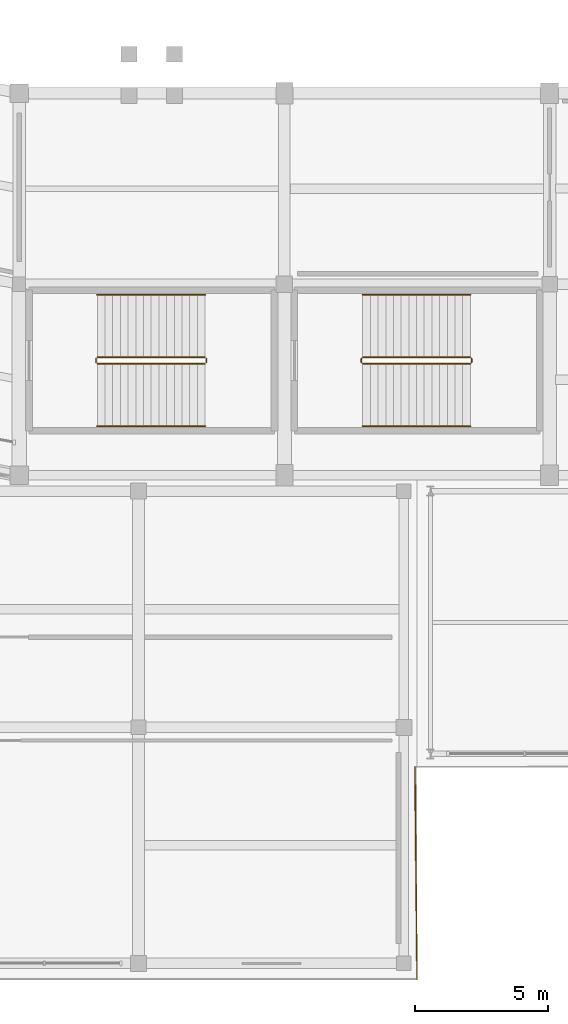
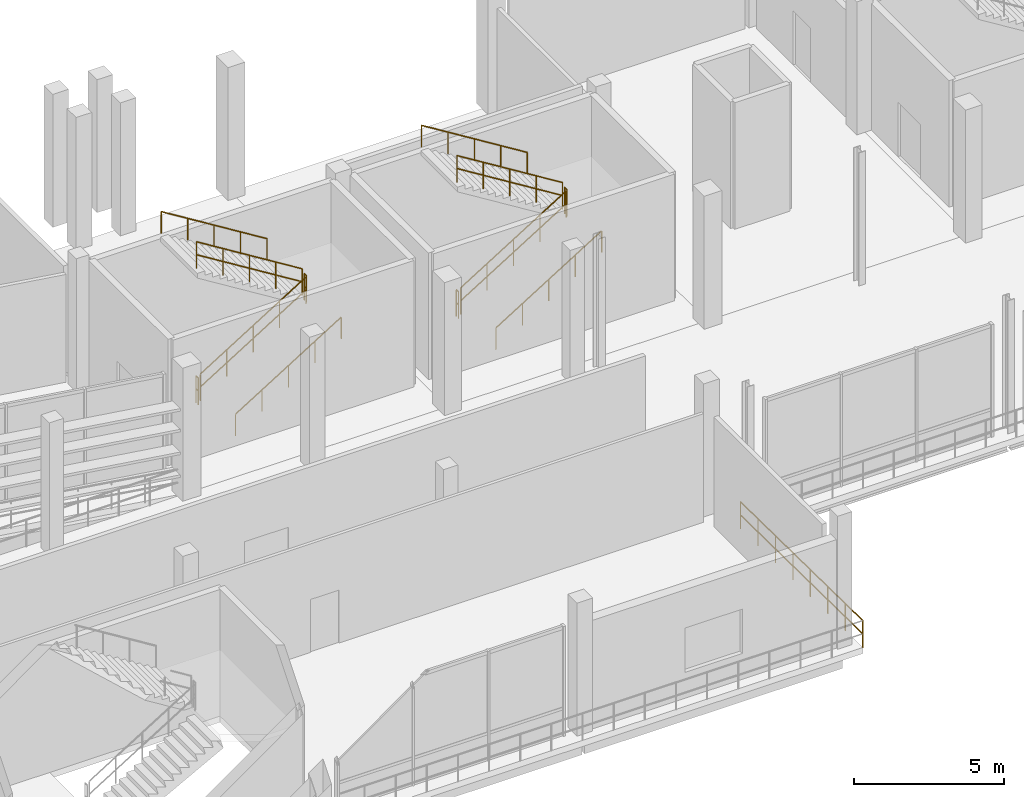
# One storey, part 91 of 111: 13 railings.
"""IFC4 building model written with IfcOpenShell, lengths in metres."""

from ifc_helpers import new_model, si_unit, direction, frame, origin, origin_2d, place, context, subcontext, project, spatial, circle, extrude, material, layer, layer_set, type_object, element, save


model = new_model("IFC4")

# Units and contexts
model_context = context("Model", 3, precision=1e-05, world=origin(), true_north=direction((0.0, 1.0)))
body_context = subcontext(model_context, "Body", "Model", "MODEL_VIEW")
ifc_project = project(units=[si_unit("LENGTHUNIT", "METRE"), si_unit("AREAUNIT", "SQUARE_METRE"), si_unit("VOLUMEUNIT", "CUBIC_METRE"), si_unit("PLANEANGLEUNIT", "RADIAN"), si_unit("MASSUNIT", "GRAM", prefix="KILO")], contexts=[model_context])

# Site, building, storey
site_placement = place(None, origin())
site = spatial("IfcSite", under=ifc_project, at=site_placement, CompositionType="ELEMENT")
building_placement = place(site_placement, origin())
building = spatial("IfcBuilding", under=site, at=building_placement, Name="Candeia Ridge Stadium", CompositionType="ELEMENT")
storey_placement = place(building_placement, frame((0.0, 0.0, 16.199951171875)))
storey = spatial("IfcBuildingStorey", under=building, at=storey_placement, Name="L03", CompositionType="ELEMENT", Elevation=16.199951171875)

# Railings
ifc_material_1 = material(Name="Galvanized Powder-Coated Steel", Category="steel")
ifc_layer_1 = layer(ifc_material_1, 0.074951171875, Name="Galvanized Powder-Coated Steel", Category="steel")
ifc_layer_set_1 = layer_set([ifc_layer_1], Name="Galvanized Powder-Coated Steel")
railing_type_1 = type_object("IfcRailingType", Name="Spectator Bowl Front Guardrail 1120", PredefinedType="GUARDRAIL", material=ifc_layer_set_1)
railing_1_placement = place(storey_placement, frame((85.919921875, 8.0, 0.0)))
element("IfcRailing", 1, at=railing_1_placement, inside=storey, type_object=railing_type_1, Name="Deck edge safety guardrail GR-DE-L03-0154", PredefinedType="GUARDRAIL", context=body_context, shape_type="SweptSolid", body=[
    extrude(circle(Radius=0.02392578125, at=origin_2d()), frame((0.0, 0.0, 1.09619140625), z_axis=(0.010009264196, -0.99994990606, 0.0), x_axis=(0.99994990606, 0.010009264196, 0.0)), (0.0, 0.0, 1.0), 8.00048828125),
    extrude(circle(Radius=0.02392578125, at=origin_2d()), frame((0.0, 0.0, 0.56005859375), z_axis=(0.010009264196, -0.99994990606, 0.0), x_axis=(0.99994990606, 0.010009264196, 0.0)), (0.0, 0.0, 1.0), 8.00048828125),
    extrude(circle(Radius=0.02099609375, at=origin_2d()), origin(), (0.0, 0.0, 1.0), 1.072021484375),
    extrude(circle(Radius=0.02099609375, at=origin_2d()), frame((0.011474609375, -1.142822265625, 0.0)), (0.0, 0.0, 1.0), 1.072021484375),
    extrude(circle(Radius=0.02099609375, at=origin_2d()), frame((0.02294921875, -2.28564453125, 0.0)), (0.0, 0.0, 1.0), 1.072021484375),
    extrude(circle(Radius=0.02099609375, at=origin_2d()), frame((0.034423828125, -3.428466796875, 0.0)), (0.0, 0.0, 1.0), 1.072021484375),
    extrude(circle(Radius=0.02099609375, at=origin_2d()), frame((0.045654296875, -4.571533203125, 0.0)), (0.0, 0.0, 1.0), 1.072021484375),
    extrude(circle(Radius=0.02099609375, at=origin_2d()), frame((0.05712890625, -5.71435546875, 0.0)), (0.0, 0.0, 1.0), 1.072021484375),
    extrude(circle(Radius=0.02099609375, at=origin_2d()), frame((0.068603515625, -6.857177734375, 0.0)), (0.0, 0.0, 1.0), 1.072021484375),
    extrude(circle(Radius=0.02099609375, at=origin_2d()), frame((0.080078125, -8.0, 0.0)), (0.0, 0.0, 1.0), 1.072021484375),
])
ifc_material_2 = material(Name="Brushed Stainless Steel", Category="steel")
ifc_layer_2 = layer(ifc_material_2, 0.048095703125, Name="Brushed Stainless Steel", Category="steel")
ifc_layer_set_2 = layer_set([ifc_layer_2], Name="Brushed Stainless Steel")
railing_type_2 = type_object("IfcRailingType", Name="Stair Wall & Flight Handrail 900", PredefinedType="HANDRAIL", material=ifc_layer_set_2)
railing_2_placement = place(storey_placement, frame((73.949951171875, 20.85009765625, 0.179931640625)))
element("IfcRailing", 2, at=railing_2_placement, inside=storey, type_object=railing_type_2, Name="L03 ST02 stair handrail 1", PredefinedType="HANDRAIL", context=body_context, shape_type="SweptSolid", body=[
    extrude(circle(Radius=0.02392578125, at=origin_2d()), frame((0.0, 0.0, 0.8759765625), z_axis=(0.849641744969, 0.0, 0.527360318194), x_axis=(0.0, 1.0, 0.0)), (0.0, 0.0, 1.0), 4.778564453125),
    extrude(circle(Radius=0.02099609375, at=origin_2d()), origin(), (0.0, 0.0, 1.0), 0.851806640625),
    extrude(circle(Radius=0.02099609375, at=origin_2d()), frame((1.01513671875, 0.0, 0.6298828125)), (0.0, 0.0, 1.0), 0.851806640625),
    extrude(circle(Radius=0.02099609375, at=origin_2d()), frame((2.030029296875, 0.0, 1.260009765625)), (0.0, 0.0, 1.0), 0.851806640625),
    extrude(circle(Radius=0.02099609375, at=origin_2d()), frame((3.044921875, 0.0, 1.89013671875)), (0.0, 0.0, 1.0), 0.851806640625),
    extrude(circle(Radius=0.02099609375, at=origin_2d()), frame((4.06005859375, 0.0, 2.52001953125)), (0.0, 0.0, 1.0), 0.851806640625),
])
railing_3_placement = place(storey_placement, frame((78.010009765625, 25.800048828125, 2.880126953125)))
element("IfcRailing", 3, at=railing_3_placement, inside=storey, type_object=railing_type_2, Name="L03 ST02 stair handrail 2", PredefinedType="HANDRAIL", context=body_context, shape_type="SweptSolid", body=[
    extrude(circle(Radius=0.02392578125, at=origin_2d()), frame((0.0, 0.0, 0.8759765625), z_axis=(-0.849641744969, 0.0, 0.527360318194), x_axis=(0.0, -1.0, 0.0)), (0.0, 0.0, 1.0), 4.778564453125),
    extrude(circle(Radius=0.02099609375, at=origin_2d()), origin(), (0.0, 0.0, 1.0), 0.851806640625),
    extrude(circle(Radius=0.02099609375, at=origin_2d()), frame((-1.01513671875, 0.0, 0.6298828125)), (0.0, 0.0, 1.0), 0.851806640625),
    extrude(circle(Radius=0.02099609375, at=origin_2d()), frame((-2.030029296875, 0.0, 1.260009765625)), (0.0, 0.0, 1.0), 0.851806640625),
    extrude(circle(Radius=0.02099609375, at=origin_2d()), frame((-3.044921875, 0.0, 1.89013671875)), (0.0, 0.0, 1.0), 0.851806640625),
    extrude(circle(Radius=0.02099609375, at=origin_2d()), frame((-4.06005859375, 0.0, 2.52001953125)), (0.0, 0.0, 1.0), 0.851806640625),
])
railing_4_placement = place(storey_placement, frame((83.949951171875, 20.85009765625, 0.179931640625)))
element("IfcRailing", 4, at=railing_4_placement, inside=storey, type_object=railing_type_2, Name="L03 ST11 stair handrail 1", PredefinedType="HANDRAIL", context=body_context, shape_type="SweptSolid", body=[
    extrude(circle(Radius=0.02392578125, at=origin_2d()), frame((0.0, 0.0, 0.8759765625), z_axis=(0.849641744969, 0.0, 0.527360318194), x_axis=(0.0, 1.0, 0.0)), (0.0, 0.0, 1.0), 4.778564453125),
    extrude(circle(Radius=0.02099609375, at=origin_2d()), origin(), (0.0, 0.0, 1.0), 0.851806640625),
    extrude(circle(Radius=0.02099609375, at=origin_2d()), frame((1.01513671875, 0.0, 0.6298828125)), (0.0, 0.0, 1.0), 0.851806640625),
    extrude(circle(Radius=0.02099609375, at=origin_2d()), frame((2.030029296875, 0.0, 1.260009765625)), (0.0, 0.0, 1.0), 0.851806640625),
    extrude(circle(Radius=0.02099609375, at=origin_2d()), frame((3.044921875, 0.0, 1.89013671875)), (0.0, 0.0, 1.0), 0.851806640625),
    extrude(circle(Radius=0.02099609375, at=origin_2d()), frame((4.06005859375, 0.0, 2.52001953125)), (0.0, 0.0, 1.0), 0.851806640625),
])
railing_5_placement = place(storey_placement, frame((88.010009765625, 25.800048828125, 2.880126953125)))
element("IfcRailing", 5, at=railing_5_placement, inside=storey, type_object=railing_type_2, Name="L03 ST11 stair handrail 2", PredefinedType="HANDRAIL", context=body_context, shape_type="SweptSolid", body=[
    extrude(circle(Radius=0.02392578125, at=origin_2d()), frame((0.0, 0.0, 0.8759765625), z_axis=(-0.849641744969, 0.0, 0.527360318194), x_axis=(0.0, -1.0, 0.0)), (0.0, 0.0, 1.0), 4.778564453125),
    extrude(circle(Radius=0.02099609375, at=origin_2d()), origin(), (0.0, 0.0, 1.0), 0.851806640625),
    extrude(circle(Radius=0.02099609375, at=origin_2d()), frame((-1.01513671875, 0.0, 0.6298828125)), (0.0, 0.0, 1.0), 0.851806640625),
    extrude(circle(Radius=0.02099609375, at=origin_2d()), frame((-2.030029296875, 0.0, 1.260009765625)), (0.0, 0.0, 1.0), 0.851806640625),
    extrude(circle(Radius=0.02099609375, at=origin_2d()), frame((-3.044921875, 0.0, 1.89013671875)), (0.0, 0.0, 1.0), 0.851806640625),
    extrude(circle(Radius=0.02099609375, at=origin_2d()), frame((-4.06005859375, 0.0, 2.52001953125)), (0.0, 0.0, 1.0), 0.851806640625),
])
ifc_layer_3 = layer(ifc_material_1, 0.06005859375, Name="Galvanized Powder-Coated Steel", Category="steel")
ifc_layer_set_3 = layer_set([ifc_layer_3], Name="Galvanized Powder-Coated Steel")
railing_type_3 = type_object("IfcRailingType", Name="Stair Well Guardrail 1100", PredefinedType="GUARDRAIL", material=ifc_layer_set_3)
railing_6_placement = place(storey_placement, frame((73.949951171875, 23.199951171875, 0.179931640625)))
element("IfcRailing", 6, at=railing_6_placement, inside=storey, type_object=railing_type_3, Name="L03 ST02 stair guard 1", PredefinedType="GUARDRAIL", context=body_context, shape_type="SweptSolid", body=[
    extrude(circle(Radius=0.02392578125, at=origin_2d()), frame((0.0, 0.0, 1.076171875), z_axis=(0.849641744969, 0.0, 0.527360318194), x_axis=(0.0, 1.0, 0.0)), (0.0, 0.0, 1.0), 4.778564453125),
    extrude(circle(Radius=0.02392578125, at=origin_2d()), frame((0.0, 0.0, 0.550048828125), z_axis=(0.849641744969, 0.0, 0.527360318194), x_axis=(0.0, 1.0, 0.0)), (0.0, 0.0, 1.0), 4.778564453125),
    extrude(circle(Radius=0.02099609375, at=origin_2d()), origin(), (0.0, 0.0, 1.0), 1.052001953125),
    extrude(circle(Radius=0.02099609375, at=origin_2d()), frame((1.01513671875, 0.0, 0.6298828125)), (0.0, 0.0, 1.0), 1.052001953125),
    extrude(circle(Radius=0.02099609375, at=origin_2d()), frame((2.030029296875, 0.0, 1.260009765625)), (0.0, 0.0, 1.0), 1.052001953125),
    extrude(circle(Radius=0.02099609375, at=origin_2d()), frame((3.044921875, 0.0, 1.89013671875)), (0.0, 0.0, 1.0), 1.052001953125),
    extrude(circle(Radius=0.02099609375, at=origin_2d()), frame((4.06005859375, 0.0, 2.52001953125)), (0.0, 0.0, 1.0), 1.052001953125),
])
railing_7_placement = place(storey_placement, frame((78.06005859375, 23.25, 2.699951171875)))
element("IfcRailing", 7, at=railing_7_placement, inside=storey, type_object=railing_type_3, Name="L03 ST02 stair guard 2", PredefinedType="GUARDRAIL", context=body_context, shape_type="SweptSolid", body=[
    extrude(circle(Radius=0.02392578125, at=origin_2d()), frame((0.0, 0.0, 1.076171875), z_axis=(0.0, 1.0, 0.0), x_axis=(-1.0, 0.0, 0.0)), (0.0, 0.0, 1.0), 0.14990234375),
    extrude(circle(Radius=0.02392578125, at=origin_2d()), frame((0.0, 0.0, 0.550048828125), z_axis=(0.0, 1.0, 0.0), x_axis=(-1.0, 0.0, 0.0)), (0.0, 0.0, 1.0), 0.14990234375),
    extrude(circle(Radius=0.02099609375, at=origin_2d()), origin(), (0.0, 0.0, 1.0), 1.052001953125),
    extrude(circle(Radius=0.02099609375, at=origin_2d()), frame((0.0, 0.14990234375, 0.0)), (0.0, 0.0, 1.0), 1.052001953125),
])
railing_8_placement = place(storey_placement, frame((78.010009765625, 23.449951171875, 2.880126953125)))
element("IfcRailing", 8, at=railing_8_placement, inside=storey, type_object=railing_type_3, Name="L03 ST02 stair guard 3", PredefinedType="GUARDRAIL", context=body_context, shape_type="SweptSolid", body=[
    extrude(circle(Radius=0.02392578125, at=origin_2d()), frame((0.0, 0.0, 1.076171875), z_axis=(-0.849641744969, 0.0, 0.527360318194), x_axis=(0.0, -1.0, 0.0)), (0.0, 0.0, 1.0), 4.778564453125),
    extrude(circle(Radius=0.02392578125, at=origin_2d()), frame((0.0, 0.0, 0.550048828125), z_axis=(-0.849641744969, 0.0, 0.527360318194), x_axis=(0.0, -1.0, 0.0)), (0.0, 0.0, 1.0), 4.778564453125),
    extrude(circle(Radius=0.02099609375, at=origin_2d()), origin(), (0.0, 0.0, 1.0), 1.052001953125),
    extrude(circle(Radius=0.02099609375, at=origin_2d()), frame((-1.01513671875, 0.0, 0.6298828125)), (0.0, 0.0, 1.0), 1.052001953125),
    extrude(circle(Radius=0.02099609375, at=origin_2d()), frame((-2.030029296875, 0.0, 1.260009765625)), (0.0, 0.0, 1.0), 1.052001953125),
    extrude(circle(Radius=0.02099609375, at=origin_2d()), frame((-3.044921875, 0.0, 1.89013671875)), (0.0, 0.0, 1.0), 1.052001953125),
    extrude(circle(Radius=0.02099609375, at=origin_2d()), frame((-4.06005859375, 0.0, 2.52001953125)), (0.0, 0.0, 1.0), 1.052001953125),
])
railing_9_placement = place(storey_placement, frame((73.89990234375, 23.25, 0.0)))
element("IfcRailing", 9, at=railing_9_placement, inside=storey, type_object=railing_type_3, Name="L03 ST02 stair guard 4", PredefinedType="GUARDRAIL", context=body_context, shape_type="SweptSolid", body=[
    extrude(circle(Radius=0.02392578125, at=origin_2d()), frame((0.0, 0.0, 1.076171875), z_axis=(0.0, 1.0, 0.0), x_axis=(-1.0, 0.0, 0.0)), (0.0, 0.0, 1.0), 0.14990234375),
    extrude(circle(Radius=0.02392578125, at=origin_2d()), frame((0.0, 0.0, 0.550048828125), z_axis=(0.0, 1.0, 0.0), x_axis=(-1.0, 0.0, 0.0)), (0.0, 0.0, 1.0), 0.14990234375),
    extrude(circle(Radius=0.02099609375, at=origin_2d()), origin(), (0.0, 0.0, 1.0), 1.052001953125),
    extrude(circle(Radius=0.02099609375, at=origin_2d()), frame((0.0, 0.14990234375, 0.0)), (0.0, 0.0, 1.0), 1.052001953125),
])
railing_10_placement = place(storey_placement, frame((83.949951171875, 23.199951171875, 0.179931640625)))
element("IfcRailing", 10, at=railing_10_placement, inside=storey, type_object=railing_type_3, Name="L03 ST11 stair guard 1", PredefinedType="GUARDRAIL", context=body_context, shape_type="SweptSolid", body=[
    extrude(circle(Radius=0.02392578125, at=origin_2d()), frame((0.0, 0.0, 1.076171875), z_axis=(0.849641744969, 0.0, 0.527360318194), x_axis=(0.0, 1.0, 0.0)), (0.0, 0.0, 1.0), 4.778564453125),
    extrude(circle(Radius=0.02392578125, at=origin_2d()), frame((0.0, 0.0, 0.550048828125), z_axis=(0.849641744969, 0.0, 0.527360318194), x_axis=(0.0, 1.0, 0.0)), (0.0, 0.0, 1.0), 4.778564453125),
    extrude(circle(Radius=0.02099609375, at=origin_2d()), origin(), (0.0, 0.0, 1.0), 1.052001953125),
    extrude(circle(Radius=0.02099609375, at=origin_2d()), frame((1.01513671875, 0.0, 0.6298828125)), (0.0, 0.0, 1.0), 1.052001953125),
    extrude(circle(Radius=0.02099609375, at=origin_2d()), frame((2.030029296875, 0.0, 1.260009765625)), (0.0, 0.0, 1.0), 1.052001953125),
    extrude(circle(Radius=0.02099609375, at=origin_2d()), frame((3.044921875, 0.0, 1.89013671875)), (0.0, 0.0, 1.0), 1.052001953125),
    extrude(circle(Radius=0.02099609375, at=origin_2d()), frame((4.06005859375, 0.0, 2.52001953125)), (0.0, 0.0, 1.0), 1.052001953125),
])
railing_11_placement = place(storey_placement, frame((88.06005859375, 23.25, 2.699951171875)))
element("IfcRailing", 11, at=railing_11_placement, inside=storey, type_object=railing_type_3, Name="L03 ST11 stair guard 2", PredefinedType="GUARDRAIL", context=body_context, shape_type="SweptSolid", body=[
    extrude(circle(Radius=0.02392578125, at=origin_2d()), frame((0.0, 0.0, 1.076171875), z_axis=(0.0, 1.0, 0.0), x_axis=(-1.0, 0.0, 0.0)), (0.0, 0.0, 1.0), 0.14990234375),
    extrude(circle(Radius=0.02392578125, at=origin_2d()), frame((0.0, 0.0, 0.550048828125), z_axis=(0.0, 1.0, 0.0), x_axis=(-1.0, 0.0, 0.0)), (0.0, 0.0, 1.0), 0.14990234375),
    extrude(circle(Radius=0.02099609375, at=origin_2d()), origin(), (0.0, 0.0, 1.0), 1.052001953125),
    extrude(circle(Radius=0.02099609375, at=origin_2d()), frame((0.0, 0.14990234375, 0.0)), (0.0, 0.0, 1.0), 1.052001953125),
])
railing_12_placement = place(storey_placement, frame((88.010009765625, 23.449951171875, 2.880126953125)))
element("IfcRailing", 12, at=railing_12_placement, inside=storey, type_object=railing_type_3, Name="L03 ST11 stair guard 3", PredefinedType="GUARDRAIL", context=body_context, shape_type="SweptSolid", body=[
    extrude(circle(Radius=0.02392578125, at=origin_2d()), frame((0.0, 0.0, 1.076171875), z_axis=(-0.849641744969, 0.0, 0.527360318194), x_axis=(0.0, -1.0, 0.0)), (0.0, 0.0, 1.0), 4.778564453125),
    extrude(circle(Radius=0.02392578125, at=origin_2d()), frame((0.0, 0.0, 0.550048828125), z_axis=(-0.849641744969, 0.0, 0.527360318194), x_axis=(0.0, -1.0, 0.0)), (0.0, 0.0, 1.0), 4.778564453125),
    extrude(circle(Radius=0.02099609375, at=origin_2d()), origin(), (0.0, 0.0, 1.0), 1.052001953125),
    extrude(circle(Radius=0.02099609375, at=origin_2d()), frame((-1.01513671875, 0.0, 0.6298828125)), (0.0, 0.0, 1.0), 1.052001953125),
    extrude(circle(Radius=0.02099609375, at=origin_2d()), frame((-2.030029296875, 0.0, 1.260009765625)), (0.0, 0.0, 1.0), 1.052001953125),
    extrude(circle(Radius=0.02099609375, at=origin_2d()), frame((-3.044921875, 0.0, 1.89013671875)), (0.0, 0.0, 1.0), 1.052001953125),
    extrude(circle(Radius=0.02099609375, at=origin_2d()), frame((-4.06005859375, 0.0, 2.52001953125)), (0.0, 0.0, 1.0), 1.052001953125),
])
railing_13_placement = place(storey_placement, frame((83.89990234375, 23.25, 0.0)))
element("IfcRailing", 13, at=railing_13_placement, inside=storey, type_object=railing_type_3, Name="L03 ST11 stair guard 4", PredefinedType="GUARDRAIL", context=body_context, shape_type="SweptSolid", body=[
    extrude(circle(Radius=0.02392578125, at=origin_2d()), frame((0.0, 0.0, 1.076171875), z_axis=(0.0, 1.0, 0.0), x_axis=(-1.0, 0.0, 0.0)), (0.0, 0.0, 1.0), 0.14990234375),
    extrude(circle(Radius=0.02392578125, at=origin_2d()), frame((0.0, 0.0, 0.550048828125), z_axis=(0.0, 1.0, 0.0), x_axis=(-1.0, 0.0, 0.0)), (0.0, 0.0, 1.0), 0.14990234375),
    extrude(circle(Radius=0.02099609375, at=origin_2d()), origin(), (0.0, 0.0, 1.0), 1.052001953125),
    extrude(circle(Radius=0.02099609375, at=origin_2d()), frame((0.0, 0.14990234375, 0.0)), (0.0, 0.0, 1.0), 1.052001953125),
])

save(model, "model.ifc")
